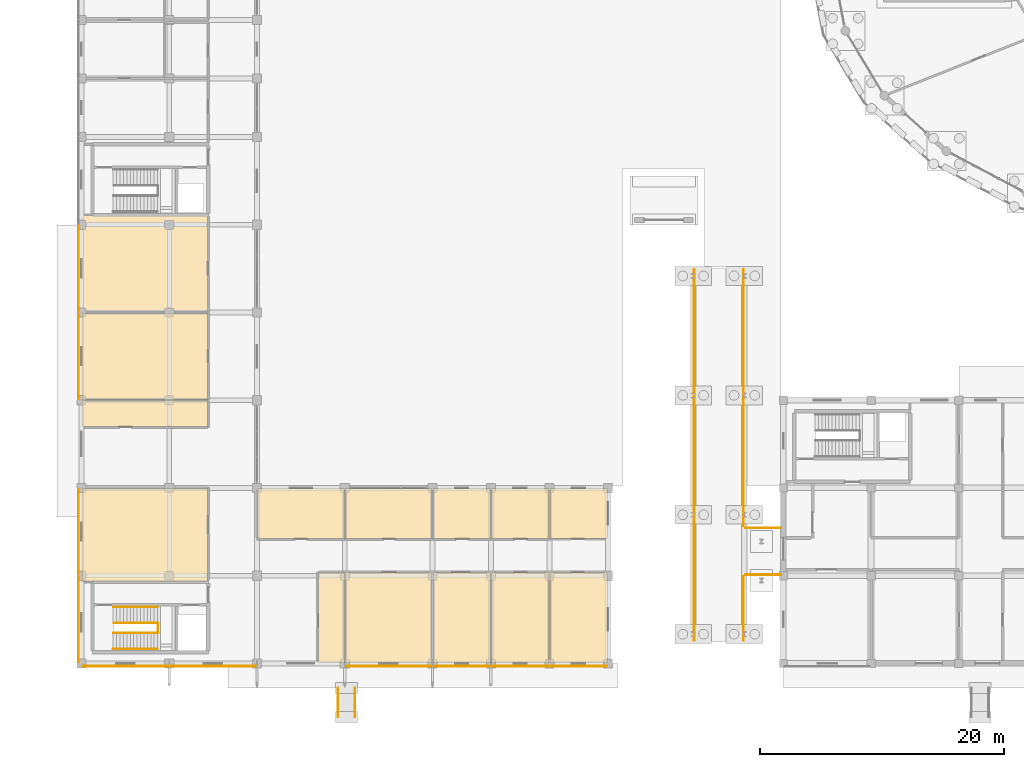
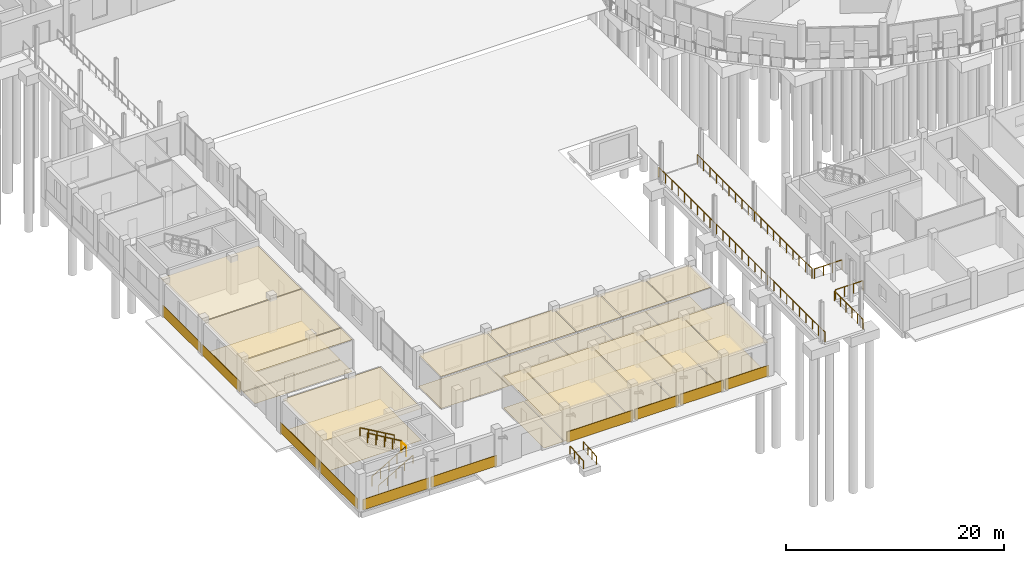
# One storey, part 88 of 98: 37 coverings, 12 railings.
"""IFC4 building model written with IfcOpenShell, lengths in metres."""

from ifc_helpers import new_model, si_unit, direction, frame, origin, origin_2d, place, context, subcontext, project, spatial, polyline, rectangle, circle, outline, extrude, material, layer, layer_set, type_object, element, save


model = new_model("IFC4")

# Units and contexts
model_context = context("Model", 3, precision=1e-05, world=origin(), true_north=direction((0.0, 1.0)))
body_context = subcontext(model_context, "Body", "Model", "MODEL_VIEW")
ifc_project = project(units=[si_unit("LENGTHUNIT", "METRE"), si_unit("AREAUNIT", "SQUARE_METRE"), si_unit("VOLUMEUNIT", "CUBIC_METRE"), si_unit("PLANEANGLEUNIT", "RADIAN"), si_unit("MASSUNIT", "GRAM", prefix="KILO")], contexts=[model_context])

# Site, building, storey
site_placement = place(None, origin())
site = spatial("IfcSite", under=ifc_project, at=site_placement, CompositionType="ELEMENT")
building_placement = place(site_placement, origin())
building = spatial("IfcBuilding", under=site, at=building_placement, Name="Zornivar Specialist Clinic", CompositionType="ELEMENT")
storey_placement = place(building_placement, origin())
storey = spatial("IfcBuildingStorey", under=building, at=storey_placement, Name="L00", CompositionType="ELEMENT", Elevation=0.0)

# Coverings
ifc_material_1 = material(Name="Washable Acoustic Mineral Clinical Ceiling")
ifc_layer_1 = layer(ifc_material_1, 0.01806640625)
ifc_layer_set_1 = layer_set([ifc_layer_1], Name="Washable Acoustic Mineral Clinical Ceiling")
covering_type_1 = type_object("IfcCoveringType", Name="COV-CEIL-CLIN-18", PredefinedType="CEILING", material=ifc_layer_set_1)
covering_1_placement = place(storey_placement, frame((0.0, 0.0, 3.56201171875)))
element("IfcCovering", 1, at=covering_1_placement, inside=storey, type_object=covering_type_1, Name="ceil:space:V2:L00:rm:00", PredefinedType="CEILING", context=body_context, shape_type="SweptSolid", body=[
    extrude(outline(polyline([(10.360107421875, 14.360107421875), (10.360107421875, 6.739990234375), (0.0400390625, 6.739990234375), (0.0400390625, 14.360107421875), (10.360107421875, 14.360107421875)])), origin(), (0.0, 0.0, 1.0), 0.01806640625),
])
covering_2_placement = place(storey_placement, frame((0.0, 0.0, 3.56201171875)))
element("IfcCovering", 2, at=covering_2_placement, inside=storey, type_object=covering_type_1, Name="ceil:space:V2:L00:rm:01", PredefinedType="CEILING", context=body_context, shape_type="SweptSolid", body=[
    extrude(outline(polyline([(0.0400390625, 19.43994140625), (0.0400390625, 21.56005859375), (10.360107421875, 21.56005859375), (10.360107421875, 19.43994140625), (0.0400390625, 19.43994140625)])), origin(), (0.0, 0.0, 1.0), 0.01806640625),
])
covering_3_placement = place(storey_placement, frame((0.0, 0.0, 3.56201171875)))
element("IfcCovering", 3, at=covering_3_placement, inside=storey, type_object=covering_type_1, Name="ceil:space:V2:L00:rm:02", PredefinedType="CEILING", context=body_context, shape_type="SweptSolid", body=[
    extrude(outline(polyline([(0.0400390625, 21.639892578125), (0.0400390625, 28.760009765625), (10.360107421875, 28.760009765625), (10.360107421875, 21.639892578125), (0.0400390625, 21.639892578125)])), origin(), (0.0, 0.0, 1.0), 0.01806640625),
])
covering_4_placement = place(storey_placement, frame((0.0, 0.0, 3.56201171875)))
element("IfcCovering", 4, at=covering_4_placement, inside=storey, type_object=covering_type_1, Name="ceil:space:V2:L00:rm:03", PredefinedType="CEILING", context=body_context, shape_type="SweptSolid", body=[
    extrude(outline(polyline([(10.360107421875, 28.840087890625), (0.0400390625, 28.840087890625), (0.0400390625, 36.760009765625), (10.360107421875, 36.760009765625), (10.360107421875, 28.840087890625)])), origin(), (0.0, 0.0, 1.0), 0.01806640625),
])
covering_5_placement = place(storey_placement, frame((0.0, 0.0, 3.56201171875)))
element("IfcCovering", 5, at=covering_5_placement, inside=storey, type_object=covering_type_1, Name="ceil:space:V2:L00:rm:09", PredefinedType="CEILING", context=body_context, shape_type="SweptSolid", body=[
    extrude(outline(polyline([(21.56005859375, 7.4599609375), (21.56005859375, 0.0400390625), (19.43994140625, 0.0400390625), (19.43994140625, 7.4599609375), (21.56005859375, 7.4599609375)])), origin(), (0.0, 0.0, 1.0), 0.01806640625),
])
covering_6_placement = place(storey_placement, frame((0.0, 0.0, 3.56201171875)))
element("IfcCovering", 6, at=covering_6_placement, inside=storey, type_object=covering_type_1, Name="ceil:space:V2:L00:rm:10", PredefinedType="CEILING", context=body_context, shape_type="SweptSolid", body=[
    extrude(outline(polyline([(21.56005859375, 10.239990234375), (14.43994140625, 10.239990234375), (14.43994140625, 14.360107421875), (21.56005859375, 14.360107421875), (21.56005859375, 10.239990234375)])), origin(), (0.0, 0.0, 1.0), 0.01806640625),
])
covering_7_placement = place(storey_placement, frame((0.0, 0.0, 3.56201171875)))
element("IfcCovering", 7, at=covering_7_placement, inside=storey, type_object=covering_type_1, Name="ceil:space:V2:L00:rm:11", PredefinedType="CEILING", context=body_context, shape_type="SweptSolid", body=[
    extrude(outline(polyline([(28.760009765625, 0.0400390625), (21.639892578125, 0.0400390625), (21.639892578125, 7.4599609375), (28.760009765625, 7.4599609375), (28.760009765625, 0.0400390625)])), origin(), (0.0, 0.0, 1.0), 0.01806640625),
])
covering_8_placement = place(storey_placement, frame((0.0, 0.0, 3.56201171875)))
element("IfcCovering", 8, at=covering_8_placement, inside=storey, type_object=covering_type_1, Name="ceil:space:V2:L00:rm:12", PredefinedType="CEILING", context=body_context, shape_type="SweptSolid", body=[
    extrude(outline(polyline([(28.760009765625, 10.239990234375), (21.639892578125, 10.239990234375), (21.639892578125, 14.360107421875), (28.760009765625, 14.360107421875), (28.760009765625, 10.239990234375)])), origin(), (0.0, 0.0, 1.0), 0.01806640625),
])
covering_9_placement = place(storey_placement, frame((0.0, 0.0, 3.56201171875)))
element("IfcCovering", 9, at=covering_9_placement, inside=storey, type_object=covering_type_1, Name="ceil:space:V2:L00:rm:13", PredefinedType="CEILING", context=body_context, shape_type="SweptSolid", body=[
    extrude(outline(polyline([(33.56005859375, 0.0400390625), (28.840087890625, 0.0400390625), (28.840087890625, 7.4599609375), (33.56005859375, 7.4599609375), (33.56005859375, 0.0400390625)])), origin(), (0.0, 0.0, 1.0), 0.01806640625),
])
covering_10_placement = place(storey_placement, frame((0.0, 0.0, 3.56201171875)))
element("IfcCovering", 10, at=covering_10_placement, inside=storey, type_object=covering_type_1, Name="ceil:space:V2:L00:rm:14", PredefinedType="CEILING", context=body_context, shape_type="SweptSolid", body=[
    extrude(outline(polyline([(33.56005859375, 10.239990234375), (28.840087890625, 10.239990234375), (28.840087890625, 14.360107421875), (33.56005859375, 14.360107421875), (33.56005859375, 10.239990234375)])), origin(), (0.0, 0.0, 1.0), 0.01806640625),
])
covering_11_placement = place(storey_placement, frame((0.0, 0.0, 3.56201171875)))
element("IfcCovering", 11, at=covering_11_placement, inside=storey, type_object=covering_type_1, Name="ceil:space:V2:L00:rm:15", PredefinedType="CEILING", context=body_context, shape_type="SweptSolid", body=[
    extrude(outline(polyline([(38.360107421875, 0.0400390625), (33.639892578125, 0.0400390625), (33.639892578125, 7.4599609375), (38.360107421875, 7.4599609375), (38.360107421875, 0.0400390625)])), origin(), (0.0, 0.0, 1.0), 0.01806640625),
])
covering_12_placement = place(storey_placement, frame((0.0, 0.0, 3.56201171875)))
element("IfcCovering", 12, at=covering_12_placement, inside=storey, type_object=covering_type_1, Name="ceil:space:V2:L00:rm:16", PredefinedType="CEILING", context=body_context, shape_type="SweptSolid", body=[
    extrude(outline(polyline([(38.360107421875, 10.239990234375), (33.639892578125, 10.239990234375), (33.639892578125, 14.360107421875), (38.360107421875, 14.360107421875), (38.360107421875, 10.239990234375)])), origin(), (0.0, 0.0, 1.0), 0.01806640625),
])
covering_13_placement = place(storey_placement, frame((0.0, 0.0, 3.56201171875)))
element("IfcCovering", 13, at=covering_13_placement, inside=storey, type_object=covering_type_1, Name="ceil:space:V2:L00:rm:17", PredefinedType="CEILING", context=body_context, shape_type="SweptSolid", body=[
    extrude(outline(polyline([(43.159912109375, 0.0400390625), (38.43994140625, 0.0400390625), (38.43994140625, 7.4599609375), (43.159912109375, 7.4599609375), (43.159912109375, 0.0400390625)])), origin(), (0.0, 0.0, 1.0), 0.01806640625),
])
covering_14_placement = place(storey_placement, frame((0.0, 0.0, 3.56201171875)))
element("IfcCovering", 14, at=covering_14_placement, inside=storey, type_object=covering_type_1, Name="ceil:space:V2:L00:rm:18", PredefinedType="CEILING", context=body_context, shape_type="SweptSolid", body=[
    extrude(outline(polyline([(43.159912109375, 10.239990234375), (38.43994140625, 10.239990234375), (38.43994140625, 14.360107421875), (43.159912109375, 14.360107421875), (43.159912109375, 10.239990234375)])), origin(), (0.0, 0.0, 1.0), 0.01806640625),
])
ifc_material_2 = material(Name="Coursed Vratsa Limestone Plinth Cladding", Category="masonry")
ifc_layer_2 = layer(ifc_material_2, 0.050048828125)
ifc_layer_set_2 = layer_set([ifc_layer_2], Name="Coursed Vratsa Limestone Plinth Cladding")
covering_type_2 = type_object("IfcCoveringType", Name="COV-CLAD-VRATSA-50", PredefinedType="CLADDING", material=ifc_layer_set_2)
for number, where, z_axis, x_axis, name in (
    (15, (3.60009765625, -0.235107421875, 0.0), (0.0, 0.0, 1.0), (1.0, 0.0, 0.0), "clad:V2:L00:00"),
    (16, (10.800048828125, -0.235107421875, 0.0), (0.0, 0.0, 1.0), (1.0, 0.0, 0.0), "clad:V2:L00:01"),
    (17, (25.199951171875, -0.235107421875, 0.0), (0.0, 0.0, 1.0), (1.0, 0.0, 0.0), "clad:V2:L00:03"),
):
    element("IfcCovering", number, at=place(storey_placement, frame(where, z_axis=z_axis, x_axis=x_axis)), inside=storey, type_object=covering_type_2, Name=name, PredefinedType="CLADDING", context=body_context, shape_type="SweptSolid", body=[
        extrude(rectangle(XDim=7.0, YDim=0.050048828125, at=origin_2d()), origin(), (0.0, 0.0, 1.0), 1.199951171875),
    ])
for number, where, z_axis, x_axis, name in (
    (18, (31.199951171875, -0.235107421875, 0.0), (0.0, 0.0, 1.0), (1.0, 0.0, 0.0), "clad:V2:L00:04"),
    (19, (36.0, -0.235107421875, 0.0), (0.0, 0.0, 1.0), (1.0, 0.0, 0.0), "clad:V2:L00:05"),
    (20, (40.800048828125, -0.235107421875, 0.0), (0.0, 0.0, 1.0), (1.0, 0.0, 0.0), "clad:V2:L00:06"),
):
    element("IfcCovering", number, at=place(storey_placement, frame(where, z_axis=z_axis, x_axis=x_axis)), inside=storey, type_object=covering_type_2, Name=name, PredefinedType="CLADDING", context=body_context, shape_type="SweptSolid", body=[
        extrude(rectangle(XDim=4.60009765625, YDim=0.050048828125, at=origin_2d()), origin(), (0.0, 0.0, 1.0), 1.199951171875),
    ])
for number, where, z_axis, x_axis, name in (
    (21, (-0.235107421875, 32.39990234375, 0.0), (0.0, 0.0, 1.0), (0.0, -1.0, 0.0), "clad:V2:L00:27"),
    (22, (-0.235107421875, 25.199951171875, 0.0), (0.0, 0.0, 1.0), (0.0, -1.0, 0.0), "clad:V2:L00:28"),
    (23, (-0.235107421875, 10.800048828125, 0.0), (0.0, 0.0, 1.0), (0.0, -1.0, 0.0), "clad:V2:L00:30"),
    (24, (-0.235107421875, 3.60009765625, 0.0), (0.0, 0.0, 1.0), (0.0, -1.0, 0.0), "clad:V2:L00:31"),
):
    element("IfcCovering", number, at=place(storey_placement, frame(where, z_axis=z_axis, x_axis=x_axis)), inside=storey, type_object=covering_type_2, Name=name, PredefinedType="CLADDING", context=body_context, shape_type="SweptSolid", body=[
        extrude(rectangle(XDim=7.0, YDim=0.050048828125, at=origin_2d()), origin(), (0.0, 0.0, 1.0), 1.199951171875),
    ])
ifc_material_3 = material(Name="Homogeneous Anti-Static Clinical Vinyl Flooring")
ifc_layer_3 = layer(ifc_material_3, 0.011962890625)
ifc_layer_set_3 = layer_set([ifc_layer_3], Name="Homogeneous Anti-Static Clinical Vinyl Flooring")
covering_type_3 = type_object("IfcCoveringType", Name="COV-FLR-VINYL-12", PredefinedType="FLOORING", material=ifc_layer_set_3)
covering_15_placement = place(storey_placement, origin())
element("IfcCovering", 25, at=covering_15_placement, inside=storey, type_object=covering_type_3, Name="flr:space:V2:L00:rm:00", PredefinedType="FLOORING", context=body_context, shape_type="SweptSolid", body=[
    extrude(outline(polyline([(10.360107421875, 14.360107421875), (10.360107421875, 6.739990234375), (0.0400390625, 6.739990234375), (0.0400390625, 14.360107421875), (10.360107421875, 14.360107421875)])), origin(), (0.0, 0.0, 1.0), 0.011962890625),
])
covering_16_placement = place(storey_placement, origin())
element("IfcCovering", 26, at=covering_16_placement, inside=storey, type_object=covering_type_3, Name="flr:space:V2:L00:rm:01", PredefinedType="FLOORING", context=body_context, shape_type="SweptSolid", body=[
    extrude(outline(polyline([(0.0400390625, 19.43994140625), (0.0400390625, 21.56005859375), (10.360107421875, 21.56005859375), (10.360107421875, 19.43994140625), (0.0400390625, 19.43994140625)])), origin(), (0.0, 0.0, 1.0), 0.011962890625),
])
covering_17_placement = place(storey_placement, origin())
element("IfcCovering", 27, at=covering_17_placement, inside=storey, type_object=covering_type_3, Name="flr:space:V2:L00:rm:02", PredefinedType="FLOORING", context=body_context, shape_type="SweptSolid", body=[
    extrude(outline(polyline([(0.0400390625, 21.639892578125), (0.0400390625, 28.760009765625), (10.360107421875, 28.760009765625), (10.360107421875, 21.639892578125), (0.0400390625, 21.639892578125)])), origin(), (0.0, 0.0, 1.0), 0.011962890625),
])
covering_18_placement = place(storey_placement, origin())
element("IfcCovering", 28, at=covering_18_placement, inside=storey, type_object=covering_type_3, Name="flr:space:V2:L00:rm:09", PredefinedType="FLOORING", context=body_context, shape_type="SweptSolid", body=[
    extrude(outline(polyline([(21.56005859375, 7.4599609375), (21.56005859375, 0.0400390625), (19.43994140625, 0.0400390625), (19.43994140625, 7.4599609375), (21.56005859375, 7.4599609375)])), origin(), (0.0, 0.0, 1.0), 0.011962890625),
])
covering_19_placement = place(storey_placement, origin())
element("IfcCovering", 29, at=covering_19_placement, inside=storey, type_object=covering_type_3, Name="flr:space:V2:L00:rm:10", PredefinedType="FLOORING", context=body_context, shape_type="SweptSolid", body=[
    extrude(outline(polyline([(21.56005859375, 10.239990234375), (14.43994140625, 10.239990234375), (14.43994140625, 14.360107421875), (21.56005859375, 14.360107421875), (21.56005859375, 10.239990234375)])), origin(), (0.0, 0.0, 1.0), 0.011962890625),
])
covering_20_placement = place(storey_placement, origin())
element("IfcCovering", 30, at=covering_20_placement, inside=storey, type_object=covering_type_3, Name="flr:space:V2:L00:rm:11", PredefinedType="FLOORING", context=body_context, shape_type="SweptSolid", body=[
    extrude(outline(polyline([(28.760009765625, 0.0400390625), (21.639892578125, 0.0400390625), (21.639892578125, 7.4599609375), (28.760009765625, 7.4599609375), (28.760009765625, 0.0400390625)])), origin(), (0.0, 0.0, 1.0), 0.011962890625),
])
covering_21_placement = place(storey_placement, origin())
element("IfcCovering", 31, at=covering_21_placement, inside=storey, type_object=covering_type_3, Name="flr:space:V2:L00:rm:12", PredefinedType="FLOORING", context=body_context, shape_type="SweptSolid", body=[
    extrude(outline(polyline([(28.760009765625, 10.239990234375), (21.639892578125, 10.239990234375), (21.639892578125, 14.360107421875), (28.760009765625, 14.360107421875), (28.760009765625, 10.239990234375)])), origin(), (0.0, 0.0, 1.0), 0.011962890625),
])
covering_22_placement = place(storey_placement, origin())
element("IfcCovering", 32, at=covering_22_placement, inside=storey, type_object=covering_type_3, Name="flr:space:V2:L00:rm:13", PredefinedType="FLOORING", context=body_context, shape_type="SweptSolid", body=[
    extrude(outline(polyline([(33.56005859375, 0.0400390625), (28.840087890625, 0.0400390625), (28.840087890625, 7.4599609375), (33.56005859375, 7.4599609375), (33.56005859375, 0.0400390625)])), origin(), (0.0, 0.0, 1.0), 0.011962890625),
])
covering_23_placement = place(storey_placement, origin())
element("IfcCovering", 33, at=covering_23_placement, inside=storey, type_object=covering_type_3, Name="flr:space:V2:L00:rm:14", PredefinedType="FLOORING", context=body_context, shape_type="SweptSolid", body=[
    extrude(outline(polyline([(33.56005859375, 10.239990234375), (28.840087890625, 10.239990234375), (28.840087890625, 14.360107421875), (33.56005859375, 14.360107421875), (33.56005859375, 10.239990234375)])), origin(), (0.0, 0.0, 1.0), 0.011962890625),
])
covering_24_placement = place(storey_placement, origin())
element("IfcCovering", 34, at=covering_24_placement, inside=storey, type_object=covering_type_3, Name="flr:space:V2:L00:rm:15", PredefinedType="FLOORING", context=body_context, shape_type="SweptSolid", body=[
    extrude(outline(polyline([(38.360107421875, 0.0400390625), (33.639892578125, 0.0400390625), (33.639892578125, 7.4599609375), (38.360107421875, 7.4599609375), (38.360107421875, 0.0400390625)])), origin(), (0.0, 0.0, 1.0), 0.011962890625),
])
covering_25_placement = place(storey_placement, origin())
element("IfcCovering", 35, at=covering_25_placement, inside=storey, type_object=covering_type_3, Name="flr:space:V2:L00:rm:16", PredefinedType="FLOORING", context=body_context, shape_type="SweptSolid", body=[
    extrude(outline(polyline([(38.360107421875, 10.239990234375), (33.639892578125, 10.239990234375), (33.639892578125, 14.360107421875), (38.360107421875, 14.360107421875), (38.360107421875, 10.239990234375)])), origin(), (0.0, 0.0, 1.0), 0.011962890625),
])
covering_26_placement = place(storey_placement, origin())
element("IfcCovering", 36, at=covering_26_placement, inside=storey, type_object=covering_type_3, Name="flr:space:V2:L00:rm:17", PredefinedType="FLOORING", context=body_context, shape_type="SweptSolid", body=[
    extrude(outline(polyline([(43.159912109375, 0.0400390625), (38.43994140625, 0.0400390625), (38.43994140625, 7.4599609375), (43.159912109375, 7.4599609375), (43.159912109375, 0.0400390625)])), origin(), (0.0, 0.0, 1.0), 0.011962890625),
])
covering_27_placement = place(storey_placement, origin())
element("IfcCovering", 37, at=covering_27_placement, inside=storey, type_object=covering_type_3, Name="flr:space:V2:L00:rm:18", PredefinedType="FLOORING", context=body_context, shape_type="SweptSolid", body=[
    extrude(outline(polyline([(43.159912109375, 10.239990234375), (38.43994140625, 10.239990234375), (38.43994140625, 14.360107421875), (43.159912109375, 14.360107421875), (43.159912109375, 10.239990234375)])), origin(), (0.0, 0.0, 1.0), 0.011962890625),
])

# Railings
ifc_material_4 = material(Name="Painted Steel and Oiled Timber Balustrade", Category="steel")
railing_type_1 = type_object("IfcRailingType", Name="GRD-EXT-BALUST-1100", PredefinedType="BALUSTRADE", material=ifc_material_4)
railing_1_placement = place(storey_placement, frame((50.280029296875, 1.8798828125, 0.0)))
element("IfcRailing", 38, at=railing_1_placement, inside=storey, type_object=railing_type_1, Name="rail:BR1:L00:W", PredefinedType="BALUSTRADE", context=body_context, shape_type="SweptSolid", body=[
    extrude(circle(Radius=0.02392578125, at=origin_2d()), frame((0.0, 0.0, 1.076171875), z_axis=(0.0, 1.0, 0.0), x_axis=(-1.0, 0.0, 0.0)), (0.0, 0.0, 1.0), 30.440185546875),
    extrude(circle(Radius=0.02099609375, at=origin_2d()), origin(), (0.0, 0.0, 1.0), 1.052001953125),
    extrude(circle(Radius=0.02099609375, at=origin_2d()), frame((0.0, 1.1708984375, 0.0)), (0.0, 0.0, 1.0), 1.052001953125),
    extrude(circle(Radius=0.02099609375, at=origin_2d()), frame((0.0, 2.341552734375, 0.0)), (0.0, 0.0, 1.0), 1.052001953125),
    extrude(circle(Radius=0.02099609375, at=origin_2d()), frame((0.0, 3.51220703125, 0.0)), (0.0, 0.0, 1.0), 1.052001953125),
    extrude(circle(Radius=0.02099609375, at=origin_2d()), frame((0.0, 4.68310546875, 0.0)), (0.0, 0.0, 1.0), 1.052001953125),
    extrude(circle(Radius=0.02099609375, at=origin_2d()), frame((0.0, 5.85400390625, 0.0)), (0.0, 0.0, 1.0), 1.052001953125),
    extrude(circle(Radius=0.02099609375, at=origin_2d()), frame((0.0, 7.024658203125, 0.0)), (0.0, 0.0, 1.0), 1.052001953125),
    extrude(circle(Radius=0.02099609375, at=origin_2d()), frame((0.0, 8.1953125, 0.0)), (0.0, 0.0, 1.0), 1.052001953125),
    extrude(circle(Radius=0.02099609375, at=origin_2d()), frame((0.0, 9.3662109375, 0.0)), (0.0, 0.0, 1.0), 1.052001953125),
    extrude(circle(Radius=0.02099609375, at=origin_2d()), frame((0.0, 10.537109375, 0.0)), (0.0, 0.0, 1.0), 1.052001953125),
    extrude(circle(Radius=0.02099609375, at=origin_2d()), frame((0.0, 11.707763671875, 0.0)), (0.0, 0.0, 1.0), 1.052001953125),
    extrude(circle(Radius=0.02099609375, at=origin_2d()), frame((0.0, 12.87841796875, 0.0)), (0.0, 0.0, 1.0), 1.052001953125),
    extrude(circle(Radius=0.02099609375, at=origin_2d()), frame((0.0, 14.04931640625, 0.0)), (0.0, 0.0, 1.0), 1.052001953125),
    extrude(circle(Radius=0.02099609375, at=origin_2d()), frame((0.0, 15.22021484375, 0.0)), (0.0, 0.0, 1.0), 1.052001953125),
    extrude(circle(Radius=0.02099609375, at=origin_2d()), frame((0.0, 16.390869140625, 0.0)), (0.0, 0.0, 1.0), 1.052001953125),
    extrude(circle(Radius=0.02099609375, at=origin_2d()), frame((0.0, 17.5615234375, 0.0)), (0.0, 0.0, 1.0), 1.052001953125),
    extrude(circle(Radius=0.02099609375, at=origin_2d()), frame((0.0, 18.732421875, 0.0)), (0.0, 0.0, 1.0), 1.052001953125),
    extrude(circle(Radius=0.02099609375, at=origin_2d()), frame((0.0, 19.9033203125, 0.0)), (0.0, 0.0, 1.0), 1.052001953125),
    extrude(circle(Radius=0.02099609375, at=origin_2d()), frame((0.0, 21.073974609375, 0.0)), (0.0, 0.0, 1.0), 1.052001953125),
    extrude(circle(Radius=0.02099609375, at=origin_2d()), frame((0.0, 22.24462890625, 0.0)), (0.0, 0.0, 1.0), 1.052001953125),
    extrude(circle(Radius=0.02099609375, at=origin_2d()), frame((0.0, 23.41552734375, 0.0)), (0.0, 0.0, 1.0), 1.052001953125),
    extrude(circle(Radius=0.02099609375, at=origin_2d()), frame((0.0, 24.58642578125, 0.0)), (0.0, 0.0, 1.0), 1.052001953125),
    extrude(circle(Radius=0.02099609375, at=origin_2d()), frame((0.0, 25.757080078125, 0.0)), (0.0, 0.0, 1.0), 1.052001953125),
    extrude(circle(Radius=0.02099609375, at=origin_2d()), frame((0.0, 26.927734375, 0.0)), (0.0, 0.0, 1.0), 1.052001953125),
    extrude(circle(Radius=0.02099609375, at=origin_2d()), frame((0.0, 28.0986328125, 0.0)), (0.0, 0.0, 1.0), 1.052001953125),
    extrude(circle(Radius=0.02099609375, at=origin_2d()), frame((0.0, 29.26953125, 0.0)), (0.0, 0.0, 1.0), 1.052001953125),
    extrude(circle(Radius=0.02099609375, at=origin_2d()), frame((0.0, 30.440185546875, 0.0)), (0.0, 0.0, 1.0), 1.052001953125),
])
railing_2_placement = place(storey_placement, frame((54.320068359375, 1.8798828125, 0.0)))
element("IfcRailing", 39, at=railing_2_placement, inside=storey, type_object=railing_type_1, Name="rail:BR1:L00:E0", PredefinedType="BALUSTRADE", context=body_context, shape_type="SweptSolid", body=[
    extrude(circle(Radius=0.02392578125, at=origin_2d()), frame((0.0, 0.0, 1.076171875), z_axis=(0.0, 1.0, 0.0), x_axis=(-1.0, 0.0, 0.0)), (0.0, 0.0, 1.0), 5.240234375),
    extrude(circle(Radius=0.02099609375, at=origin_2d()), origin(), (0.0, 0.0, 1.0), 1.052001953125),
    extrude(circle(Radius=0.02099609375, at=origin_2d()), frame((0.0, 1.048095703125, 0.0)), (0.0, 0.0, 1.0), 1.052001953125),
    extrude(circle(Radius=0.02099609375, at=origin_2d()), frame((0.0, 2.09619140625, 0.0)), (0.0, 0.0, 1.0), 1.052001953125),
    extrude(circle(Radius=0.02099609375, at=origin_2d()), frame((0.0, 3.14404296875, 0.0)), (0.0, 0.0, 1.0), 1.052001953125),
    extrude(circle(Radius=0.02099609375, at=origin_2d()), frame((0.0, 4.192138671875, 0.0)), (0.0, 0.0, 1.0), 1.052001953125),
    extrude(circle(Radius=0.02099609375, at=origin_2d()), frame((0.0, 5.240234375, 0.0)), (0.0, 0.0, 1.0), 1.052001953125),
])
railing_3_placement = place(storey_placement, frame((54.320068359375, 11.280029296875, 0.0)))
element("IfcRailing", 40, at=railing_3_placement, inside=storey, type_object=railing_type_1, Name="rail:BR1:L00:E1", PredefinedType="BALUSTRADE", context=body_context, shape_type="SweptSolid", body=[
    extrude(circle(Radius=0.02392578125, at=origin_2d()), frame((0.0, 0.0, 1.076171875), z_axis=(0.0, 1.0, 0.0), x_axis=(-1.0, 0.0, 0.0)), (0.0, 0.0, 1.0), 21.0400390625),
    extrude(circle(Radius=0.02099609375, at=origin_2d()), origin(), (0.0, 0.0, 1.0), 1.052001953125),
    extrude(circle(Radius=0.02099609375, at=origin_2d()), frame((0.0, 1.1689453125, 0.0)), (0.0, 0.0, 1.0), 1.052001953125),
    extrude(circle(Radius=0.02099609375, at=origin_2d()), frame((0.0, 2.337890625, 0.0)), (0.0, 0.0, 1.0), 1.052001953125),
    extrude(circle(Radius=0.02099609375, at=origin_2d()), frame((0.0, 3.506591796875, 0.0)), (0.0, 0.0, 1.0), 1.052001953125),
    extrude(circle(Radius=0.02099609375, at=origin_2d()), frame((0.0, 4.675537109375, 0.0)), (0.0, 0.0, 1.0), 1.052001953125),
    extrude(circle(Radius=0.02099609375, at=origin_2d()), frame((0.0, 5.844482421875, 0.0)), (0.0, 0.0, 1.0), 1.052001953125),
    extrude(circle(Radius=0.02099609375, at=origin_2d()), frame((0.0, 7.013427734375, 0.0)), (0.0, 0.0, 1.0), 1.052001953125),
    extrude(circle(Radius=0.02099609375, at=origin_2d()), frame((0.0, 8.18212890625, 0.0)), (0.0, 0.0, 1.0), 1.052001953125),
    extrude(circle(Radius=0.02099609375, at=origin_2d()), frame((0.0, 9.35107421875, 0.0)), (0.0, 0.0, 1.0), 1.052001953125),
    extrude(circle(Radius=0.02099609375, at=origin_2d()), frame((0.0, 10.52001953125, 0.0)), (0.0, 0.0, 1.0), 1.052001953125),
    extrude(circle(Radius=0.02099609375, at=origin_2d()), frame((0.0, 11.68896484375, 0.0)), (0.0, 0.0, 1.0), 1.052001953125),
    extrude(circle(Radius=0.02099609375, at=origin_2d()), frame((0.0, 12.85791015625, 0.0)), (0.0, 0.0, 1.0), 1.052001953125),
    extrude(circle(Radius=0.02099609375, at=origin_2d()), frame((0.0, 14.026611328125, 0.0)), (0.0, 0.0, 1.0), 1.052001953125),
    extrude(circle(Radius=0.02099609375, at=origin_2d()), frame((0.0, 15.195556640625, 0.0)), (0.0, 0.0, 1.0), 1.052001953125),
    extrude(circle(Radius=0.02099609375, at=origin_2d()), frame((0.0, 16.364501953125, 0.0)), (0.0, 0.0, 1.0), 1.052001953125),
    extrude(circle(Radius=0.02099609375, at=origin_2d()), frame((0.0, 17.533447265625, 0.0)), (0.0, 0.0, 1.0), 1.052001953125),
    extrude(circle(Radius=0.02099609375, at=origin_2d()), frame((0.0, 18.7021484375, 0.0)), (0.0, 0.0, 1.0), 1.052001953125),
    extrude(circle(Radius=0.02099609375, at=origin_2d()), frame((0.0, 19.87109375, 0.0)), (0.0, 0.0, 1.0), 1.052001953125),
    extrude(circle(Radius=0.02099609375, at=origin_2d()), frame((0.0, 21.0400390625, 0.0)), (0.0, 0.0, 1.0), 1.052001953125),
])
for number, where, name in (
    (41, (54.47998046875, 7.280029296875, 0.0), "rail:BR1:L00:spS"),
    (42, (54.47998046875, 11.1201171875, 0.0), "rail:BR1:L00:spN"),
):
    element("IfcRailing", number, at=place(storey_placement, frame(where)), inside=storey, type_object=railing_type_1, Name=name, PredefinedType="BALUSTRADE", context=body_context, shape_type="SweptSolid", body=[
        extrude(circle(Radius=0.02392578125, at=origin_2d()), frame((0.0, 0.0, 1.076171875), z_axis=(1.0, 0.0, 0.0), x_axis=(0.0, 1.0, 0.0)), (0.0, 0.0, 1.0), 2.919921875),
        extrude(circle(Radius=0.02099609375, at=origin_2d()), origin(), (0.0, 0.0, 1.0), 1.052001953125),
        extrude(circle(Radius=0.02099609375, at=origin_2d()), frame((0.973388671875, 0.0, 0.0)), (0.0, 0.0, 1.0), 1.052001953125),
        extrude(circle(Radius=0.02099609375, at=origin_2d()), frame((1.946533203125, 0.0, 0.0)), (0.0, 0.0, 1.0), 1.052001953125),
        extrude(circle(Radius=0.02099609375, at=origin_2d()), frame((2.919921875, 0.0, 0.0)), (0.0, 0.0, 1.0), 1.052001953125),
    ])
ifc_material_5 = material(Name="Brushed Stainless Steel Stair Guardrail", Category="steel")
railing_type_2 = type_object("IfcRailingType", Name="GRD-INT-STAIR-1100", PredefinedType="GUARDRAIL", material=ifc_material_5)
railing_4_placement = place(storey_placement, frame((2.639892578125, 2.47998046875, 0.160888671875)))
element("IfcRailing", 43, at=railing_4_placement, inside=storey, type_object=railing_type_2, Name="stair:C1:L00:grd1", PredefinedType="GUARDRAIL", context=body_context, shape_type="SweptSolid", body=[
    extrude(circle(Radius=0.02392578125, at=origin_2d()), frame((0.0, 0.0, 1.076171875), z_axis=(0.862467420366, 0.0, 0.50611258511), x_axis=(0.0, 1.0, 0.0)), (0.0, 0.0, 1.0), 4.127685546875),
    extrude(circle(Radius=0.02099609375, at=origin_2d()), origin(), (0.0, 0.0, 1.0), 1.052001953125),
    extrude(circle(Radius=0.02099609375, at=origin_2d()), frame((0.89013671875, 0.0, 0.522216796875)), (0.0, 0.0, 1.0), 1.052001953125),
    extrude(circle(Radius=0.02099609375, at=origin_2d()), frame((1.780029296875, 0.0, 1.04443359375)), (0.0, 0.0, 1.0), 1.052001953125),
    extrude(circle(Radius=0.02099609375, at=origin_2d()), frame((2.669921875, 0.0, 1.56689453125)), (0.0, 0.0, 1.0), 1.052001953125),
    extrude(circle(Radius=0.02099609375, at=origin_2d()), frame((3.56005859375, 0.0, 2.089111328125)), (0.0, 0.0, 1.0), 1.052001953125),
])
railing_5_placement = place(storey_placement, frame((6.199951171875, 3.320068359375, 2.410888671875)))
element("IfcRailing", 44, at=railing_5_placement, inside=storey, type_object=railing_type_2, Name="stair:C1:L00:grd2", PredefinedType="GUARDRAIL", context=body_context, shape_type="SweptSolid", body=[
    extrude(circle(Radius=0.02392578125, at=origin_2d()), frame((0.0, 0.0, 1.076171875), z_axis=(-0.861217264902, 0.0, 0.50823697488), x_axis=(0.0, -1.0, 0.0)), (0.0, 0.0, 1.0), 4.110595703125),
    extrude(circle(Radius=0.02099609375, at=origin_2d()), origin(), (0.0, 0.0, 1.0), 1.052001953125),
    extrude(circle(Radius=0.02099609375, at=origin_2d()), frame((-0.885009765625, 0.0, 0.522216796875)), (0.0, 0.0, 1.0), 1.052001953125),
    extrude(circle(Radius=0.02099609375, at=origin_2d()), frame((-1.77001953125, 0.0, 1.04443359375)), (0.0, 0.0, 1.0), 1.052001953125),
    extrude(circle(Radius=0.02099609375, at=origin_2d()), frame((-2.655029296875, 0.0, 1.56689453125)), (0.0, 0.0, 1.0), 1.052001953125),
    extrude(circle(Radius=0.02099609375, at=origin_2d()), frame((-3.5400390625, 0.0, 2.089111328125)), (0.0, 0.0, 1.0), 1.052001953125),
])
railing_6_placement = place(storey_placement, frame((6.27001953125, 2.47998046875, 2.25)))
element("IfcRailing", 45, at=railing_6_placement, inside=storey, type_object=railing_type_2, Name="stair:C1:L00:grdl", PredefinedType="GUARDRAIL", context=body_context, shape_type="SweptSolid", body=[
    extrude(circle(Radius=0.02392578125, at=origin_2d()), frame((0.0, 0.0, 1.076171875), z_axis=(0.0, 1.0, 0.0), x_axis=(-1.0, 0.0, 0.0)), (0.0, 0.0, 1.0), 0.840087890625),
    extrude(circle(Radius=0.02099609375, at=origin_2d()), origin(), (0.0, 0.0, 1.0), 1.052001953125),
    extrude(circle(Radius=0.02099609375, at=origin_2d()), frame((0.0, 0.840087890625, 0.0)), (0.0, 0.0, 1.0), 1.052001953125),
])
ifc_material_6 = material(Name="Brushed Stainless Steel Continuous Handrail", Category="steel")
railing_type_3 = type_object("IfcRailingType", Name="HRL-STAIR-0920", PredefinedType="HANDRAIL", material=ifc_material_6)
railing_7_placement = place(storey_placement, frame((2.60009765625, 1.169921875, 0.160888671875)))
element("IfcRailing", 46, at=railing_7_placement, inside=storey, type_object=railing_type_3, Name="stair:C1:L00:hr1", PredefinedType="HANDRAIL", context=body_context, shape_type="SweptSolid", body=[
    extrude(circle(Radius=0.02392578125, at=origin_2d()), frame((0.0, 0.0, 0.89599609375), z_axis=(0.867300072446, 0.0, 0.497785681127), x_axis=(0.0, 1.0, 0.0)), (0.0, 0.0, 1.0), 4.19677734375),
    extrude(circle(Radius=0.02099609375, at=origin_2d()), origin(), (0.0, 0.0, 1.0), 0.871826171875),
    extrude(circle(Radius=0.02099609375, at=origin_2d()), frame((0.909912109375, 0.0, 0.522216796875)), (0.0, 0.0, 1.0), 0.871826171875),
    extrude(circle(Radius=0.02099609375, at=origin_2d()), frame((1.81982421875, 0.0, 1.04443359375)), (0.0, 0.0, 1.0), 0.871826171875),
    extrude(circle(Radius=0.02099609375, at=origin_2d()), frame((2.72998046875, 0.0, 1.56689453125)), (0.0, 0.0, 1.0), 0.871826171875),
    extrude(circle(Radius=0.02099609375, at=origin_2d()), frame((3.639892578125, 0.0, 2.089111328125)), (0.0, 0.0, 1.0), 0.871826171875),
])
railing_8_placement = place(storey_placement, frame((6.239990234375, 4.6298828125, 2.410888671875)))
element("IfcRailing", 47, at=railing_8_placement, inside=storey, type_object=railing_type_3, Name="stair:C1:L00:hr2", PredefinedType="HANDRAIL", context=body_context, shape_type="SweptSolid", body=[
    extrude(circle(Radius=0.02392578125, at=origin_2d()), frame((0.0, 0.0, 0.89599609375), z_axis=(-0.866110694346, 0.0, 0.499852243307), x_axis=(0.0, -1.0, 0.0)), (0.0, 0.0, 1.0), 4.179443359375),
    extrude(circle(Radius=0.02099609375, at=origin_2d()), origin(), (0.0, 0.0, 1.0), 0.871826171875),
    extrude(circle(Radius=0.02099609375, at=origin_2d()), frame((-0.905029296875, 0.0, 0.522216796875)), (0.0, 0.0, 1.0), 0.871826171875),
    extrude(circle(Radius=0.02099609375, at=origin_2d()), frame((-1.81005859375, 0.0, 1.04443359375)), (0.0, 0.0, 1.0), 0.871826171875),
    extrude(circle(Radius=0.02099609375, at=origin_2d()), frame((-2.71484375, 0.0, 1.56689453125)), (0.0, 0.0, 1.0), 0.871826171875),
    extrude(circle(Radius=0.02099609375, at=origin_2d()), frame((-3.619873046875, 0.0, 2.089111328125)), (0.0, 0.0, 1.0), 0.871826171875),
])
for number, where, name in (
    (48, (21.050048828125, -4.39990234375, -0.179931640625), "ramp:ped:L00:PR1:hr0"),
    (49, (22.449951171875, -4.39990234375, -0.179931640625), "ramp:ped:L00:PR1:hr1"),
):
    element("IfcRailing", number, at=place(storey_placement, frame(where)), inside=storey, type_object=railing_type_3, Name=name, PredefinedType="HANDRAIL", context=body_context, shape_type="SweptSolid", body=[
        extrude(circle(Radius=0.02392578125, at=origin_2d()), frame((0.0, 0.0, 0.89599609375), z_axis=(0.0, 0.997201201018, 0.074764728906), x_axis=(-1.0, 0.0, 0.0)), (0.0, 0.0, 1.0), 2.40673828125),
        extrude(circle(Radius=0.02099609375, at=origin_2d()), origin(), (0.0, 0.0, 1.0), 0.871826171875),
        extrude(circle(Radius=0.02099609375, at=origin_2d()), frame((0.0, 0.800048828125, 0.06005859375)), (0.0, 0.0, 1.0), 0.871826171875),
        extrude(circle(Radius=0.02099609375, at=origin_2d()), frame((0.0, 1.599853515625, 0.119873046875)), (0.0, 0.0, 1.0), 0.871826171875),
        extrude(circle(Radius=0.02099609375, at=origin_2d()), frame((0.0, 2.39990234375, 0.179931640625)), (0.0, 0.0, 1.0), 0.871826171875),
    ])

save(model, "model.ifc")
